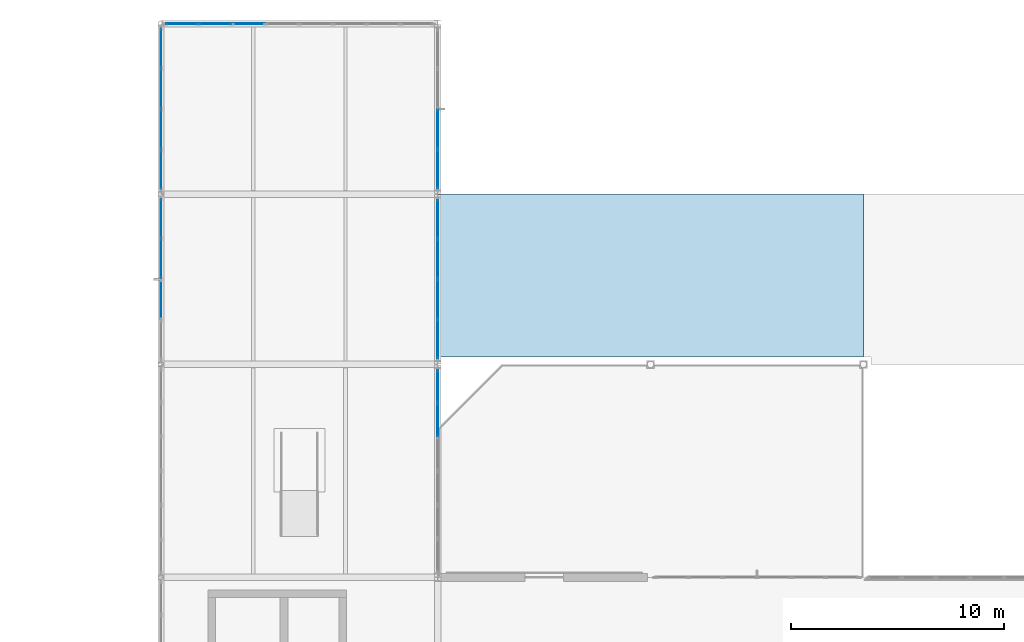
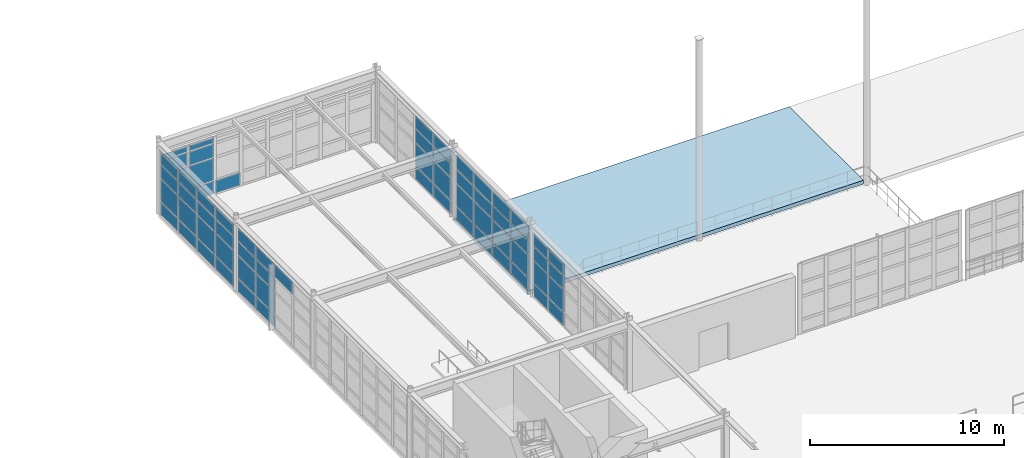
# One storey, part 92 of 139: 66 plates, 1 slab, 6 elements without a shape of their own.
"""IFC4 building model written with IfcOpenShell, lengths in metres."""

from ifc_helpers import new_model, si_unit, direction, frame, origin, origin_2d, place, context, subcontext, project, spatial, polyline, rectangle, outline, extrude, material, layer, layer_set, type_object, element, aggregate, save


model = new_model("IFC4")

# Units and contexts
model_context = context("Model", 3, precision=1e-05, world=origin(), true_north=direction((0.0, 1.0)))
body_context = subcontext(model_context, "Body", "Model", "MODEL_VIEW")
ifc_project = project(units=[si_unit("LENGTHUNIT", "METRE"), si_unit("AREAUNIT", "SQUARE_METRE"), si_unit("VOLUMEUNIT", "CUBIC_METRE"), si_unit("PLANEANGLEUNIT", "RADIAN"), si_unit("MASSUNIT", "GRAM", prefix="KILO"), si_unit("THERMODYNAMICTEMPERATUREUNIT", "KELVIN"), si_unit("POWERUNIT", "WATT")], contexts=[model_context])

# Site, building, storey
site_placement = place(None, origin())
site = spatial("IfcSite", under=ifc_project, at=site_placement, CompositionType="ELEMENT")
building_placement = place(site_placement, origin())
building = spatial("IfcBuilding", under=site, at=building_placement, Name="Korenveer Ferry Terminal", CompositionType="ELEMENT")
storey_placement = place(building_placement, frame((0.0, 0.0, 5.39990234375)))
storey = spatial("IfcBuildingStorey", under=building, at=storey_placement, Name="L01", CompositionType="ELEMENT", Elevation=5.39990234375)

# Curtain wall, plates
ifc_material_1 = material(Name="Unitised bronze-and-glass curtain wall", Category="glass")
ifc_layer_1 = layer(ifc_material_1, 0.219970703125)
ifc_layer_set_1 = layer_set([ifc_layer_1], Name="Unitised bronze-and-glass curtain wall")
curtain_wall_type_1 = type_object("IfcCurtainWallType", Name="ENV-CW-56", PredefinedType="USERDEFINED", material=ifc_layer_set_1)
curtain_wall_1_placement = place(storey_placement, frame((40.16650390625, 116.0, 0.0)))
curtain_wall_1 = element("IfcCurtainWall", 1, at=curtain_wall_1_placement, inside=storey, type_object=curtain_wall_type_1, Name="Lancet curtain wall CWX-L01-X40-53-Y116-116", ObjectType="UNITISED CURTAIN WALL", PredefinedType="USERDEFINED")
ifc_material_2 = material(Name="Acoustic laminated marine glazing", Category="glass")
ifc_layer_2 = layer(ifc_material_2, 0.035888671875)
ifc_layer_set_2 = layer_set([ifc_layer_2], Name="Acoustic laminated marine glazing")
plate_type = type_object("IfcPlateType", Name="ENV-CWP-GLZ36", PredefinedType="CURTAIN_PANEL", material=ifc_layer_set_2)
plate_1_placement = place(storey_placement, frame((40.97607421875, 116.0, 0.074951171875), z_axis=(0.0, 0.0, 1.0), x_axis=(1.0, 0.0, 0.0)))
plate_1 = element("IfcPlate", 2, at=plate_1_placement, type_object=plate_type, Name="CW-56 panel 1.1", PredefinedType="CURTAIN_PANEL", context=body_context, shape_type="SweptSolid", body=[
    extrude(rectangle(XDim=1.46923828125, YDim=0.035888671875, at=origin_2d()), origin(), (0.0, 0.0, 1.0), 0.78759765625),
])
plate_2_placement = place(storey_placement, frame((40.97607421875, 116.0, 0.9375), z_axis=(0.0, 0.0, 1.0), x_axis=(1.0, 0.0, 0.0)))
plate_2 = element("IfcPlate", 3, at=plate_2_placement, type_object=plate_type, Name="CW-56 panel 1.2", PredefinedType="CURTAIN_PANEL", context=body_context, shape_type="SweptSolid", body=[
    extrude(rectangle(XDim=1.46923828125, YDim=0.035888671875, at=origin_2d()), origin(), (0.0, 0.0, 1.0), 1.375),
])
plate_3_placement = place(storey_placement, frame((40.97607421875, 116.0, 2.3876953125), z_axis=(0.0, 0.0, 1.0), x_axis=(1.0, 0.0, 0.0)))
plate_3 = element("IfcPlate", 4, at=plate_3_placement, type_object=plate_type, Name="CW-56 panel 1.3", PredefinedType="CURTAIN_PANEL", context=body_context, shape_type="SweptSolid", body=[
    extrude(rectangle(XDim=1.46923828125, YDim=0.035888671875, at=origin_2d()), origin(), (0.0, 0.0, 1.0), 0.824951171875),
])
plate_4_placement = place(storey_placement, frame((40.97607421875, 116.0, 3.28759765625), z_axis=(0.0, 0.0, 1.0), x_axis=(1.0, 0.0, 0.0)))
plate_4 = element("IfcPlate", 5, at=plate_4_placement, type_object=plate_type, Name="CW-56 panel 1.4", PredefinedType="CURTAIN_PANEL", context=body_context, shape_type="SweptSolid", body=[
    extrude(rectangle(XDim=1.46923828125, YDim=0.035888671875, at=origin_2d()), origin(), (0.0, 0.0, 1.0), 0.3076171875),
])
plate_5_placement = place(storey_placement, frame((42.5390625, 116.0, 0.074951171875), z_axis=(0.0, 0.0, 1.0), x_axis=(1.0, 0.0, 0.0)))
plate_5 = element("IfcPlate", 6, at=plate_5_placement, type_object=plate_type, Name="CW-56 panel 2.1", PredefinedType="CURTAIN_PANEL", context=body_context, shape_type="SweptSolid", body=[
    extrude(rectangle(XDim=1.506591796875, YDim=0.035888671875, at=origin_2d()), origin(), (0.0, 0.0, 1.0), 0.78759765625),
])
plate_6_placement = place(storey_placement, frame((42.5390625, 116.0, 0.9375), z_axis=(0.0, 0.0, 1.0), x_axis=(1.0, 0.0, 0.0)))
plate_6 = element("IfcPlate", 7, at=plate_6_placement, type_object=plate_type, Name="CW-56 panel 2.2", PredefinedType="CURTAIN_PANEL", context=body_context, shape_type="SweptSolid", body=[
    extrude(rectangle(XDim=1.506591796875, YDim=0.035888671875, at=origin_2d()), origin(), (0.0, 0.0, 1.0), 1.375),
])
plate_7_placement = place(storey_placement, frame((42.5390625, 116.0, 2.3876953125), z_axis=(0.0, 0.0, 1.0), x_axis=(1.0, 0.0, 0.0)))
plate_7 = element("IfcPlate", 8, at=plate_7_placement, type_object=plate_type, Name="CW-56 panel 2.3", PredefinedType="CURTAIN_PANEL", context=body_context, shape_type="SweptSolid", body=[
    extrude(rectangle(XDim=1.506591796875, YDim=0.035888671875, at=origin_2d()), origin(), (0.0, 0.0, 1.0), 0.824951171875),
])
plate_8_placement = place(storey_placement, frame((42.5390625, 116.0, 3.28759765625), z_axis=(0.0, 0.0, 1.0), x_axis=(1.0, 0.0, 0.0)))
plate_8 = element("IfcPlate", 9, at=plate_8_placement, type_object=plate_type, Name="CW-56 panel 2.4", PredefinedType="CURTAIN_PANEL", context=body_context, shape_type="SweptSolid", body=[
    extrude(rectangle(XDim=1.506591796875, YDim=0.035888671875, at=origin_2d()), origin(), (0.0, 0.0, 1.0), 0.3076171875),
])
plate_9_placement = place(storey_placement, frame((44.12060546875, 116.0, 0.074951171875), z_axis=(0.0, 0.0, 1.0), x_axis=(1.0, 0.0, 0.0)))
plate_9 = element("IfcPlate", 10, at=plate_9_placement, type_object=plate_type, Name="CW-56 panel 3.1", PredefinedType="CURTAIN_PANEL", context=body_context, shape_type="SweptSolid", body=[
    extrude(rectangle(XDim=1.506591796875, YDim=0.035888671875, at=origin_2d()), origin(), (0.0, 0.0, 1.0), 0.78759765625),
])
aggregate(curtain_wall_1, [plate_1, plate_2, plate_3, plate_4, plate_5, plate_6, plate_7, plate_8, plate_9])

ifc_layer_3 = layer(ifc_material_1, 0.219970703125)
ifc_layer_set_3 = layer_set([ifc_layer_3], Name="Unitised bronze-and-glass curtain wall")
curtain_wall_type_2 = type_object("IfcCurtainWallType", Name="ENV-CW-66", PredefinedType="USERDEFINED", material=ifc_layer_set_3)
curtain_wall_2_placement = place(storey_placement, frame((40.0, 100.16650390625, 0.0)))
curtain_wall_2 = element("IfcCurtainWall", 11, at=curtain_wall_2_placement, inside=storey, type_object=curtain_wall_type_2, Name="Lancet curtain wall CWX-L01-X40-40-Y100-108", ObjectType="UNITISED CURTAIN WALL", PredefinedType="USERDEFINED")
plate_10_placement = place(storey_placement, frame((40.0, 103.04150390625, 3.28759765625), z_axis=(0.0, 0.0, 1.0), x_axis=(0.0, 1.0, 0.0)))
plate_10 = element("IfcPlate", 12, at=plate_10_placement, type_object=plate_type, Name="CW-66 panel 2.4", PredefinedType="CURTAIN_PANEL", context=body_context, shape_type="SweptSolid", body=[
    extrude(rectangle(XDim=1.841796875, YDim=0.035888671875, at=origin_2d()), origin(), (0.0, 0.0, 1.0), 0.767578125),
])
plate_11_placement = place(storey_placement, frame((40.0, 104.95849609375, 0.074951171875), z_axis=(0.0, 0.0, 1.0), x_axis=(0.0, 1.0, 0.0)))
plate_11 = element("IfcPlate", 13, at=plate_11_placement, type_object=plate_type, Name="CW-66 panel 3.1", PredefinedType="CURTAIN_PANEL", context=body_context, shape_type="SweptSolid", body=[
    extrude(rectangle(XDim=1.841796875, YDim=0.035888671875, at=origin_2d()), origin(), (0.0, 0.0, 1.0), 0.78759765625),
])
plate_12_placement = place(storey_placement, frame((40.0, 104.95849609375, 0.9375), z_axis=(0.0, 0.0, 1.0), x_axis=(0.0, 1.0, 0.0)))
plate_12 = element("IfcPlate", 14, at=plate_12_placement, type_object=plate_type, Name="CW-66 panel 3.2", PredefinedType="CURTAIN_PANEL", context=body_context, shape_type="SweptSolid", body=[
    extrude(rectangle(XDim=1.841796875, YDim=0.035888671875, at=origin_2d()), origin(), (0.0, 0.0, 1.0), 1.375),
])
plate_13_placement = place(storey_placement, frame((40.0, 104.95849609375, 2.3876953125), z_axis=(0.0, 0.0, 1.0), x_axis=(0.0, 1.0, 0.0)))
plate_13 = element("IfcPlate", 15, at=plate_13_placement, type_object=plate_type, Name="CW-66 panel 3.3", PredefinedType="CURTAIN_PANEL", context=body_context, shape_type="SweptSolid", body=[
    extrude(rectangle(XDim=1.841796875, YDim=0.035888671875, at=origin_2d()), origin(), (0.0, 0.0, 1.0), 0.824951171875),
])
plate_14_placement = place(storey_placement, frame((40.0, 104.95849609375, 3.28759765625), z_axis=(0.0, 0.0, 1.0), x_axis=(0.0, 1.0, 0.0)))
plate_14 = element("IfcPlate", 16, at=plate_14_placement, type_object=plate_type, Name="CW-66 panel 3.4", PredefinedType="CURTAIN_PANEL", context=body_context, shape_type="SweptSolid", body=[
    extrude(rectangle(XDim=1.841796875, YDim=0.035888671875, at=origin_2d()), origin(), (0.0, 0.0, 1.0), 0.767578125),
])
plate_15_placement = place(storey_placement, frame((40.0, 106.8564453125, 0.074951171875), z_axis=(0.0, 0.0, 1.0), x_axis=(0.0, 1.0, 0.0)))
plate_15 = element("IfcPlate", 17, at=plate_15_placement, type_object=plate_type, Name="CW-66 panel 4.1", PredefinedType="CURTAIN_PANEL", context=body_context, shape_type="SweptSolid", body=[
    extrude(rectangle(XDim=1.80419921875, YDim=0.035888671875, at=origin_2d()), origin(), (0.0, 0.0, 1.0), 0.78759765625),
])
plate_16_placement = place(storey_placement, frame((40.0, 106.8564453125, 0.9375), z_axis=(0.0, 0.0, 1.0), x_axis=(0.0, 1.0, 0.0)))
plate_16 = element("IfcPlate", 18, at=plate_16_placement, type_object=plate_type, Name="CW-66 panel 4.2", PredefinedType="CURTAIN_PANEL", context=body_context, shape_type="SweptSolid", body=[
    extrude(rectangle(XDim=1.80419921875, YDim=0.035888671875, at=origin_2d()), origin(), (0.0, 0.0, 1.0), 1.375),
])
plate_17_placement = place(storey_placement, frame((40.0, 106.8564453125, 2.3876953125), z_axis=(0.0, 0.0, 1.0), x_axis=(0.0, 1.0, 0.0)))
plate_17 = element("IfcPlate", 19, at=plate_17_placement, type_object=plate_type, Name="CW-66 panel 4.3", PredefinedType="CURTAIN_PANEL", context=body_context, shape_type="SweptSolid", body=[
    extrude(rectangle(XDim=1.80419921875, YDim=0.035888671875, at=origin_2d()), origin(), (0.0, 0.0, 1.0), 0.824951171875),
])
plate_18_placement = place(storey_placement, frame((40.0, 106.8564453125, 3.28759765625), z_axis=(0.0, 0.0, 1.0), x_axis=(0.0, 1.0, 0.0)))
plate_18 = element("IfcPlate", 20, at=plate_18_placement, type_object=plate_type, Name="CW-66 panel 4.4", PredefinedType="CURTAIN_PANEL", context=body_context, shape_type="SweptSolid", body=[
    extrude(rectangle(XDim=1.80419921875, YDim=0.035888671875, at=origin_2d()), origin(), (0.0, 0.0, 1.0), 0.767578125),
])
aggregate(curtain_wall_2, [plate_10, plate_11, plate_12, plate_13, plate_14, plate_15, plate_16, plate_17, plate_18])

ifc_layer_4 = layer(ifc_material_1, 0.219970703125)
ifc_layer_set_4 = layer_set([ifc_layer_4], Name="Unitised bronze-and-glass curtain wall")
curtain_wall_type_3 = type_object("IfcCurtainWallType", Name="ENV-CW-67", PredefinedType="USERDEFINED", material=ifc_layer_set_4)
curtain_wall_3_placement = place(storey_placement, frame((40.0, 108.16650390625, 0.0)))
curtain_wall_3 = element("IfcCurtainWall", 21, at=curtain_wall_3_placement, inside=storey, type_object=curtain_wall_type_3, Name="Lancet curtain wall CWX-L01-X40-40-Y108-116", ObjectType="UNITISED CURTAIN WALL", PredefinedType="USERDEFINED")
plate_19_placement = place(storey_placement, frame((40.0, 109.1435546875, 0.074951171875), z_axis=(0.0, 0.0, 1.0), x_axis=(0.0, 1.0, 0.0)))
plate_19 = element("IfcPlate", 22, at=plate_19_placement, type_object=plate_type, Name="CW-67 panel 1.1", PredefinedType="CURTAIN_PANEL", context=body_context, shape_type="SweptSolid", body=[
    extrude(rectangle(XDim=1.80419921875, YDim=0.035888671875, at=origin_2d()), origin(), (0.0, 0.0, 1.0), 0.78759765625),
])
plate_20_placement = place(storey_placement, frame((40.0, 109.1435546875, 0.9375), z_axis=(0.0, 0.0, 1.0), x_axis=(0.0, 1.0, 0.0)))
plate_20 = element("IfcPlate", 23, at=plate_20_placement, type_object=plate_type, Name="CW-67 panel 1.2", PredefinedType="CURTAIN_PANEL", context=body_context, shape_type="SweptSolid", body=[
    extrude(rectangle(XDim=1.80419921875, YDim=0.035888671875, at=origin_2d()), origin(), (0.0, 0.0, 1.0), 1.375),
])
plate_21_placement = place(storey_placement, frame((40.0, 109.1435546875, 2.3876953125), z_axis=(0.0, 0.0, 1.0), x_axis=(0.0, 1.0, 0.0)))
plate_21 = element("IfcPlate", 24, at=plate_21_placement, type_object=plate_type, Name="CW-67 panel 1.3", PredefinedType="CURTAIN_PANEL", context=body_context, shape_type="SweptSolid", body=[
    extrude(rectangle(XDim=1.80419921875, YDim=0.035888671875, at=origin_2d()), origin(), (0.0, 0.0, 1.0), 0.824951171875),
])
plate_22_placement = place(storey_placement, frame((40.0, 109.1435546875, 3.28759765625), z_axis=(0.0, 0.0, 1.0), x_axis=(0.0, 1.0, 0.0)))
plate_22 = element("IfcPlate", 25, at=plate_22_placement, type_object=plate_type, Name="CW-67 panel 1.4", PredefinedType="CURTAIN_PANEL", context=body_context, shape_type="SweptSolid", body=[
    extrude(rectangle(XDim=1.80419921875, YDim=0.035888671875, at=origin_2d()), origin(), (0.0, 0.0, 1.0), 0.66748046875),
])
plate_23_placement = place(storey_placement, frame((40.0, 111.04150390625, 0.074951171875), z_axis=(0.0, 0.0, 1.0), x_axis=(0.0, 1.0, 0.0)))
plate_23 = element("IfcPlate", 26, at=plate_23_placement, type_object=plate_type, Name="CW-67 panel 2.1", PredefinedType="CURTAIN_PANEL", context=body_context, shape_type="SweptSolid", body=[
    extrude(rectangle(XDim=1.841796875, YDim=0.035888671875, at=origin_2d()), origin(), (0.0, 0.0, 1.0), 0.78759765625),
])
plate_24_placement = place(storey_placement, frame((40.0, 111.04150390625, 0.9375), z_axis=(0.0, 0.0, 1.0), x_axis=(0.0, 1.0, 0.0)))
plate_24 = element("IfcPlate", 27, at=plate_24_placement, type_object=plate_type, Name="CW-67 panel 2.2", PredefinedType="CURTAIN_PANEL", context=body_context, shape_type="SweptSolid", body=[
    extrude(rectangle(XDim=1.841796875, YDim=0.035888671875, at=origin_2d()), origin(), (0.0, 0.0, 1.0), 1.375),
])
plate_25_placement = place(storey_placement, frame((40.0, 111.04150390625, 2.3876953125), z_axis=(0.0, 0.0, 1.0), x_axis=(0.0, 1.0, 0.0)))
plate_25 = element("IfcPlate", 28, at=plate_25_placement, type_object=plate_type, Name="CW-67 panel 2.3", PredefinedType="CURTAIN_PANEL", context=body_context, shape_type="SweptSolid", body=[
    extrude(rectangle(XDim=1.841796875, YDim=0.035888671875, at=origin_2d()), origin(), (0.0, 0.0, 1.0), 0.824951171875),
])
plate_26_placement = place(storey_placement, frame((40.0, 111.04150390625, 3.28759765625), z_axis=(0.0, 0.0, 1.0), x_axis=(0.0, 1.0, 0.0)))
plate_26 = element("IfcPlate", 29, at=plate_26_placement, type_object=plate_type, Name="CW-67 panel 2.4", PredefinedType="CURTAIN_PANEL", context=body_context, shape_type="SweptSolid", body=[
    extrude(rectangle(XDim=1.841796875, YDim=0.035888671875, at=origin_2d()), origin(), (0.0, 0.0, 1.0), 0.66748046875),
])
plate_27_placement = place(storey_placement, frame((40.0, 112.95849609375, 0.074951171875), z_axis=(0.0, 0.0, 1.0), x_axis=(0.0, 1.0, 0.0)))
plate_27 = element("IfcPlate", 30, at=plate_27_placement, type_object=plate_type, Name="CW-67 panel 3.1", PredefinedType="CURTAIN_PANEL", context=body_context, shape_type="SweptSolid", body=[
    extrude(rectangle(XDim=1.841796875, YDim=0.035888671875, at=origin_2d()), origin(), (0.0, 0.0, 1.0), 0.78759765625),
])
plate_28_placement = place(storey_placement, frame((40.0, 112.95849609375, 0.9375), z_axis=(0.0, 0.0, 1.0), x_axis=(0.0, 1.0, 0.0)))
plate_28 = element("IfcPlate", 31, at=plate_28_placement, type_object=plate_type, Name="CW-67 panel 3.2", PredefinedType="CURTAIN_PANEL", context=body_context, shape_type="SweptSolid", body=[
    extrude(rectangle(XDim=1.841796875, YDim=0.035888671875, at=origin_2d()), origin(), (0.0, 0.0, 1.0), 1.375),
])
plate_29_placement = place(storey_placement, frame((40.0, 112.95849609375, 2.3876953125), z_axis=(0.0, 0.0, 1.0), x_axis=(0.0, 1.0, 0.0)))
plate_29 = element("IfcPlate", 32, at=plate_29_placement, type_object=plate_type, Name="CW-67 panel 3.3", PredefinedType="CURTAIN_PANEL", context=body_context, shape_type="SweptSolid", body=[
    extrude(rectangle(XDim=1.841796875, YDim=0.035888671875, at=origin_2d()), origin(), (0.0, 0.0, 1.0), 0.824951171875),
])
plate_30_placement = place(storey_placement, frame((40.0, 112.95849609375, 3.28759765625), z_axis=(0.0, 0.0, 1.0), x_axis=(0.0, 1.0, 0.0)))
plate_30 = element("IfcPlate", 33, at=plate_30_placement, type_object=plate_type, Name="CW-67 panel 3.4", PredefinedType="CURTAIN_PANEL", context=body_context, shape_type="SweptSolid", body=[
    extrude(rectangle(XDim=1.841796875, YDim=0.035888671875, at=origin_2d()), origin(), (0.0, 0.0, 1.0), 0.66748046875),
])
plate_31_placement = place(storey_placement, frame((40.0, 114.8564453125, 0.074951171875), z_axis=(0.0, 0.0, 1.0), x_axis=(0.0, 1.0, 0.0)))
plate_31 = element("IfcPlate", 34, at=plate_31_placement, type_object=plate_type, Name="CW-67 panel 4.1", PredefinedType="CURTAIN_PANEL", context=body_context, shape_type="SweptSolid", body=[
    extrude(rectangle(XDim=1.80419921875, YDim=0.035888671875, at=origin_2d()), origin(), (0.0, 0.0, 1.0), 0.78759765625),
])
plate_32_placement = place(storey_placement, frame((40.0, 114.8564453125, 0.9375), z_axis=(0.0, 0.0, 1.0), x_axis=(0.0, 1.0, 0.0)))
plate_32 = element("IfcPlate", 35, at=plate_32_placement, type_object=plate_type, Name="CW-67 panel 4.2", PredefinedType="CURTAIN_PANEL", context=body_context, shape_type="SweptSolid", body=[
    extrude(rectangle(XDim=1.80419921875, YDim=0.035888671875, at=origin_2d()), origin(), (0.0, 0.0, 1.0), 1.375),
])
plate_33_placement = place(storey_placement, frame((40.0, 114.8564453125, 2.3876953125), z_axis=(0.0, 0.0, 1.0), x_axis=(0.0, 1.0, 0.0)))
plate_33 = element("IfcPlate", 36, at=plate_33_placement, type_object=plate_type, Name="CW-67 panel 4.3", PredefinedType="CURTAIN_PANEL", context=body_context, shape_type="SweptSolid", body=[
    extrude(rectangle(XDim=1.80419921875, YDim=0.035888671875, at=origin_2d()), origin(), (0.0, 0.0, 1.0), 0.824951171875),
])
plate_34_placement = place(storey_placement, frame((40.0, 114.8564453125, 3.28759765625), z_axis=(0.0, 0.0, 1.0), x_axis=(0.0, 1.0, 0.0)))
plate_34 = element("IfcPlate", 37, at=plate_34_placement, type_object=plate_type, Name="CW-67 panel 4.4", PredefinedType="CURTAIN_PANEL", context=body_context, shape_type="SweptSolid", body=[
    extrude(rectangle(XDim=1.80419921875, YDim=0.035888671875, at=origin_2d()), origin(), (0.0, 0.0, 1.0), 0.66748046875),
])
aggregate(curtain_wall_3, [plate_19, plate_20, plate_21, plate_22, plate_23, plate_24, plate_25, plate_26, plate_27, plate_28, plate_29, plate_30, plate_31, plate_32, plate_33, plate_34])

ifc_layer_5 = layer(ifc_material_1, 0.219970703125)
ifc_layer_set_5 = layer_set([ifc_layer_5], Name="Unitised bronze-and-glass curtain wall")
curtain_wall_type_4 = type_object("IfcCurtainWallType", Name="ENV-CW-70", PredefinedType="USERDEFINED", material=ifc_layer_set_5)
curtain_wall_4_placement = place(storey_placement, frame((53.0, 99.7900390625, 0.0)))
curtain_wall_4 = element("IfcCurtainWall", 38, at=curtain_wall_4_placement, inside=storey, type_object=curtain_wall_type_4, Name="Lancet curtain wall CWX-L01-X53-53-Y90-100", ObjectType="UNITISED CURTAIN WALL", PredefinedType="USERDEFINED")
plate_35_placement = place(storey_placement, frame((53.0, 98.972900390625, 0.074951171875), z_axis=(0.0, 0.0, 1.0), x_axis=(0.0, -1.0, 0.0)))
plate_35 = element("IfcPlate", 39, at=plate_35_placement, type_object=plate_type, Name="CW-70 panel 1.1", PredefinedType="CURTAIN_PANEL", context=body_context, shape_type="SweptSolid", body=[
    extrude(rectangle(XDim=1.484130859375, YDim=0.035888671875, at=origin_2d()), origin(), (0.0, 0.0, 1.0), 0.78759765625),
])
plate_36_placement = place(storey_placement, frame((53.0, 98.972900390625, 0.9375), z_axis=(0.0, 0.0, 1.0), x_axis=(0.0, -1.0, 0.0)))
plate_36 = element("IfcPlate", 40, at=plate_36_placement, type_object=plate_type, Name="CW-70 panel 1.2", PredefinedType="CURTAIN_PANEL", context=body_context, shape_type="SweptSolid", body=[
    extrude(rectangle(XDim=1.484130859375, YDim=0.035888671875, at=origin_2d()), origin(), (0.0, 0.0, 1.0), 1.375),
])
plate_37_placement = place(storey_placement, frame((53.0, 98.972900390625, 2.3876953125), z_axis=(0.0, 0.0, 1.0), x_axis=(0.0, -1.0, 0.0)))
plate_37 = element("IfcPlate", 41, at=plate_37_placement, type_object=plate_type, Name="CW-70 panel 1.3", PredefinedType="CURTAIN_PANEL", context=body_context, shape_type="SweptSolid", body=[
    extrude(rectangle(XDim=1.484130859375, YDim=0.035888671875, at=origin_2d()), origin(), (0.0, 0.0, 1.0), 0.824951171875),
])
plate_38_placement = place(storey_placement, frame((53.0, 98.972900390625, 3.28759765625), z_axis=(0.0, 0.0, 1.0), x_axis=(0.0, -1.0, 0.0)))
plate_38 = element("IfcPlate", 42, at=plate_38_placement, type_object=plate_type, Name="CW-70 panel 1.4", PredefinedType="CURTAIN_PANEL", context=body_context, shape_type="SweptSolid", body=[
    extrude(rectangle(XDim=1.484130859375, YDim=0.035888671875, at=origin_2d()), origin(), (0.0, 0.0, 1.0), 0.66748046875),
])
plate_39_placement = place(storey_placement, frame((53.0, 97.39501953125, 0.074951171875), z_axis=(0.0, 0.0, 1.0), x_axis=(0.0, -1.0, 0.0)))
plate_39 = element("IfcPlate", 43, at=plate_39_placement, type_object=plate_type, Name="CW-70 panel 2.1", PredefinedType="CURTAIN_PANEL", context=body_context, shape_type="SweptSolid", body=[
    extrude(rectangle(XDim=1.521728515625, YDim=0.035888671875, at=origin_2d()), origin(), (0.0, 0.0, 1.0), 0.78759765625),
])
plate_40_placement = place(storey_placement, frame((53.0, 97.39501953125, 0.9375), z_axis=(0.0, 0.0, 1.0), x_axis=(0.0, -1.0, 0.0)))
plate_40 = element("IfcPlate", 44, at=plate_40_placement, type_object=plate_type, Name="CW-70 panel 2.2", PredefinedType="CURTAIN_PANEL", context=body_context, shape_type="SweptSolid", body=[
    extrude(rectangle(XDim=1.521728515625, YDim=0.035888671875, at=origin_2d()), origin(), (0.0, 0.0, 1.0), 1.375),
])
plate_41_placement = place(storey_placement, frame((53.0, 97.39501953125, 2.3876953125), z_axis=(0.0, 0.0, 1.0), x_axis=(0.0, -1.0, 0.0)))
plate_41 = element("IfcPlate", 45, at=plate_41_placement, type_object=plate_type, Name="CW-70 panel 2.3", PredefinedType="CURTAIN_PANEL", context=body_context, shape_type="SweptSolid", body=[
    extrude(rectangle(XDim=1.521728515625, YDim=0.035888671875, at=origin_2d()), origin(), (0.0, 0.0, 1.0), 0.824951171875),
])
plate_42_placement = place(storey_placement, frame((53.0, 97.39501953125, 3.28759765625), z_axis=(0.0, 0.0, 1.0), x_axis=(0.0, -1.0, 0.0)))
plate_42 = element("IfcPlate", 46, at=plate_42_placement, type_object=plate_type, Name="CW-70 panel 2.4", PredefinedType="CURTAIN_PANEL", context=body_context, shape_type="SweptSolid", body=[
    extrude(rectangle(XDim=1.521728515625, YDim=0.035888671875, at=origin_2d()), origin(), (0.0, 0.0, 1.0), 0.66748046875),
])
aggregate(curtain_wall_4, [plate_35, plate_36, plate_37, plate_38, plate_39, plate_40, plate_41, plate_42])

ifc_layer_6 = layer(ifc_material_1, 0.219970703125)
ifc_layer_set_6 = layer_set([ifc_layer_6], Name="Unitised bronze-and-glass curtain wall")
curtain_wall_type_5 = type_object("IfcCurtainWallType", Name="ENV-CW-71", PredefinedType="USERDEFINED", material=ifc_layer_set_6)
curtain_wall_5_placement = place(storey_placement, frame((53.0, 107.7900390625, 0.0)))
curtain_wall_5 = element("IfcCurtainWall", 47, at=curtain_wall_5_placement, inside=storey, type_object=curtain_wall_type_5, Name="Lancet curtain wall CWX-L01-X53-53-Y100-108", ObjectType="UNITISED CURTAIN WALL", PredefinedType="USERDEFINED")
plate_43_placement = place(storey_placement, frame((53.0, 106.82373046875, 0.074951171875), z_axis=(0.0, 0.0, 1.0), x_axis=(0.0, -1.0, 0.0)))
plate_43 = element("IfcPlate", 48, at=plate_43_placement, type_object=plate_type, Name="CW-71 panel 1.1", PredefinedType="CURTAIN_PANEL", context=body_context, shape_type="SweptSolid", body=[
    extrude(rectangle(XDim=1.782470703125, YDim=0.035888671875, at=origin_2d()), origin(), (0.0, 0.0, 1.0), 0.78759765625),
])
plate_44_placement = place(storey_placement, frame((53.0, 106.82373046875, 0.9375), z_axis=(0.0, 0.0, 1.0), x_axis=(0.0, -1.0, 0.0)))
plate_44 = element("IfcPlate", 49, at=plate_44_placement, type_object=plate_type, Name="CW-71 panel 1.2", PredefinedType="CURTAIN_PANEL", context=body_context, shape_type="SweptSolid", body=[
    extrude(rectangle(XDim=1.782470703125, YDim=0.035888671875, at=origin_2d()), origin(), (0.0, 0.0, 1.0), 1.375),
])
plate_45_placement = place(storey_placement, frame((53.0, 106.82373046875, 2.3876953125), z_axis=(0.0, 0.0, 1.0), x_axis=(0.0, -1.0, 0.0)))
plate_45 = element("IfcPlate", 50, at=plate_45_placement, type_object=plate_type, Name="CW-71 panel 1.3", PredefinedType="CURTAIN_PANEL", context=body_context, shape_type="SweptSolid", body=[
    extrude(rectangle(XDim=1.782470703125, YDim=0.035888671875, at=origin_2d()), origin(), (0.0, 0.0, 1.0), 0.824951171875),
])
plate_46_placement = place(storey_placement, frame((53.0, 106.82373046875, 3.28759765625), z_axis=(0.0, 0.0, 1.0), x_axis=(0.0, -1.0, 0.0)))
plate_46 = element("IfcPlate", 51, at=plate_46_placement, type_object=plate_type, Name="CW-71 panel 1.4", PredefinedType="CURTAIN_PANEL", context=body_context, shape_type="SweptSolid", body=[
    extrude(rectangle(XDim=1.782470703125, YDim=0.035888671875, at=origin_2d()), origin(), (0.0, 0.0, 1.0), 0.867431640625),
])
plate_47_placement = place(storey_placement, frame((53.0, 104.947509765625, 0.074951171875), z_axis=(0.0, 0.0, 1.0), x_axis=(0.0, -1.0, 0.0)))
plate_47 = element("IfcPlate", 52, at=plate_47_placement, type_object=plate_type, Name="CW-71 panel 2.1", PredefinedType="CURTAIN_PANEL", context=body_context, shape_type="SweptSolid", body=[
    extrude(rectangle(XDim=1.820068359375, YDim=0.035888671875, at=origin_2d()), origin(), (0.0, 0.0, 1.0), 0.78759765625),
])
plate_48_placement = place(storey_placement, frame((53.0, 104.947509765625, 0.9375), z_axis=(0.0, 0.0, 1.0), x_axis=(0.0, -1.0, 0.0)))
plate_48 = element("IfcPlate", 53, at=plate_48_placement, type_object=plate_type, Name="CW-71 panel 2.2", PredefinedType="CURTAIN_PANEL", context=body_context, shape_type="SweptSolid", body=[
    extrude(rectangle(XDim=1.820068359375, YDim=0.035888671875, at=origin_2d()), origin(), (0.0, 0.0, 1.0), 1.375),
])
plate_49_placement = place(storey_placement, frame((53.0, 104.947509765625, 2.3876953125), z_axis=(0.0, 0.0, 1.0), x_axis=(0.0, -1.0, 0.0)))
plate_49 = element("IfcPlate", 54, at=plate_49_placement, type_object=plate_type, Name="CW-71 panel 2.3", PredefinedType="CURTAIN_PANEL", context=body_context, shape_type="SweptSolid", body=[
    extrude(rectangle(XDim=1.820068359375, YDim=0.035888671875, at=origin_2d()), origin(), (0.0, 0.0, 1.0), 0.824951171875),
])
plate_50_placement = place(storey_placement, frame((53.0, 104.947509765625, 3.28759765625), z_axis=(0.0, 0.0, 1.0), x_axis=(0.0, -1.0, 0.0)))
plate_50 = element("IfcPlate", 55, at=plate_50_placement, type_object=plate_type, Name="CW-71 panel 2.4", PredefinedType="CURTAIN_PANEL", context=body_context, shape_type="SweptSolid", body=[
    extrude(rectangle(XDim=1.820068359375, YDim=0.035888671875, at=origin_2d()), origin(), (0.0, 0.0, 1.0), 0.867431640625),
])
plate_51_placement = place(storey_placement, frame((53.0, 103.052490234375, 0.074951171875), z_axis=(0.0, 0.0, 1.0), x_axis=(0.0, -1.0, 0.0)))
plate_51 = element("IfcPlate", 56, at=plate_51_placement, type_object=plate_type, Name="CW-71 panel 3.1", PredefinedType="CURTAIN_PANEL", context=body_context, shape_type="SweptSolid", body=[
    extrude(rectangle(XDim=1.820068359375, YDim=0.035888671875, at=origin_2d()), origin(), (0.0, 0.0, 1.0), 0.78759765625),
])
plate_52_placement = place(storey_placement, frame((53.0, 103.052490234375, 0.9375), z_axis=(0.0, 0.0, 1.0), x_axis=(0.0, -1.0, 0.0)))
plate_52 = element("IfcPlate", 57, at=plate_52_placement, type_object=plate_type, Name="CW-71 panel 3.2", PredefinedType="CURTAIN_PANEL", context=body_context, shape_type="SweptSolid", body=[
    extrude(rectangle(XDim=1.820068359375, YDim=0.035888671875, at=origin_2d()), origin(), (0.0, 0.0, 1.0), 1.375),
])
plate_53_placement = place(storey_placement, frame((53.0, 103.052490234375, 2.3876953125), z_axis=(0.0, 0.0, 1.0), x_axis=(0.0, -1.0, 0.0)))
plate_53 = element("IfcPlate", 58, at=plate_53_placement, type_object=plate_type, Name="CW-71 panel 3.3", PredefinedType="CURTAIN_PANEL", context=body_context, shape_type="SweptSolid", body=[
    extrude(rectangle(XDim=1.820068359375, YDim=0.035888671875, at=origin_2d()), origin(), (0.0, 0.0, 1.0), 0.824951171875),
])
plate_54_placement = place(storey_placement, frame((53.0, 103.052490234375, 3.28759765625), z_axis=(0.0, 0.0, 1.0), x_axis=(0.0, -1.0, 0.0)))
plate_54 = element("IfcPlate", 59, at=plate_54_placement, type_object=plate_type, Name="CW-71 panel 3.4", PredefinedType="CURTAIN_PANEL", context=body_context, shape_type="SweptSolid", body=[
    extrude(rectangle(XDim=1.820068359375, YDim=0.035888671875, at=origin_2d()), origin(), (0.0, 0.0, 1.0), 0.867431640625),
])
plate_55_placement = place(storey_placement, frame((53.0, 101.17626953125, 0.074951171875), z_axis=(0.0, 0.0, 1.0), x_axis=(0.0, -1.0, 0.0)))
plate_55 = element("IfcPlate", 60, at=plate_55_placement, type_object=plate_type, Name="CW-71 panel 4.1", PredefinedType="CURTAIN_PANEL", context=body_context, shape_type="SweptSolid", body=[
    extrude(rectangle(XDim=1.782470703125, YDim=0.035888671875, at=origin_2d()), origin(), (0.0, 0.0, 1.0), 0.78759765625),
])
plate_56_placement = place(storey_placement, frame((53.0, 101.17626953125, 0.9375), z_axis=(0.0, 0.0, 1.0), x_axis=(0.0, -1.0, 0.0)))
plate_56 = element("IfcPlate", 61, at=plate_56_placement, type_object=plate_type, Name="CW-71 panel 4.2", PredefinedType="CURTAIN_PANEL", context=body_context, shape_type="SweptSolid", body=[
    extrude(rectangle(XDim=1.782470703125, YDim=0.035888671875, at=origin_2d()), origin(), (0.0, 0.0, 1.0), 1.375),
])
plate_57_placement = place(storey_placement, frame((53.0, 101.17626953125, 2.3876953125), z_axis=(0.0, 0.0, 1.0), x_axis=(0.0, -1.0, 0.0)))
plate_57 = element("IfcPlate", 62, at=plate_57_placement, type_object=plate_type, Name="CW-71 panel 4.3", PredefinedType="CURTAIN_PANEL", context=body_context, shape_type="SweptSolid", body=[
    extrude(rectangle(XDim=1.782470703125, YDim=0.035888671875, at=origin_2d()), origin(), (0.0, 0.0, 1.0), 0.824951171875),
])
plate_58_placement = place(storey_placement, frame((53.0, 101.17626953125, 3.28759765625), z_axis=(0.0, 0.0, 1.0), x_axis=(0.0, -1.0, 0.0)))
plate_58 = element("IfcPlate", 63, at=plate_58_placement, type_object=plate_type, Name="CW-71 panel 4.4", PredefinedType="CURTAIN_PANEL", context=body_context, shape_type="SweptSolid", body=[
    extrude(rectangle(XDim=1.782470703125, YDim=0.035888671875, at=origin_2d()), origin(), (0.0, 0.0, 1.0), 0.867431640625),
])
aggregate(curtain_wall_5, [plate_43, plate_44, plate_45, plate_46, plate_47, plate_48, plate_49, plate_50, plate_51, plate_52, plate_53, plate_54, plate_55, plate_56, plate_57, plate_58])

ifc_layer_7 = layer(ifc_material_1, 0.219970703125)
ifc_layer_set_7 = layer_set([ifc_layer_7], Name="Unitised bronze-and-glass curtain wall")
curtain_wall_type_6 = type_object("IfcCurtainWallType", Name="ENV-CW-72", PredefinedType="USERDEFINED", material=ifc_layer_set_7)
curtain_wall_6_placement = place(storey_placement, frame((53.0, 115.7900390625, 0.0)))
curtain_wall_6 = element("IfcCurtainWall", 64, at=curtain_wall_6_placement, inside=storey, type_object=curtain_wall_type_6, Name="Lancet curtain wall CWX-L01-X53-53-Y108-116", ObjectType="UNITISED CURTAIN WALL", PredefinedType="USERDEFINED")
plate_59_placement = place(storey_placement, frame((53.0, 111.052490234375, 0.074951171875), z_axis=(0.0, 0.0, 1.0), x_axis=(0.0, -1.0, 0.0)))
plate_59 = element("IfcPlate", 65, at=plate_59_placement, type_object=plate_type, Name="CW-72 panel 3.1", PredefinedType="CURTAIN_PANEL", context=body_context, shape_type="SweptSolid", body=[
    extrude(rectangle(XDim=1.820068359375, YDim=0.035888671875, at=origin_2d()), origin(), (0.0, 0.0, 1.0), 0.78759765625),
])
plate_60_placement = place(storey_placement, frame((53.0, 111.052490234375, 0.9375), z_axis=(0.0, 0.0, 1.0), x_axis=(0.0, -1.0, 0.0)))
plate_60 = element("IfcPlate", 66, at=plate_60_placement, type_object=plate_type, Name="CW-72 panel 3.2", PredefinedType="CURTAIN_PANEL", context=body_context, shape_type="SweptSolid", body=[
    extrude(rectangle(XDim=1.820068359375, YDim=0.035888671875, at=origin_2d()), origin(), (0.0, 0.0, 1.0), 1.375),
])
plate_61_placement = place(storey_placement, frame((53.0, 111.052490234375, 2.3876953125), z_axis=(0.0, 0.0, 1.0), x_axis=(0.0, -1.0, 0.0)))
plate_61 = element("IfcPlate", 67, at=plate_61_placement, type_object=plate_type, Name="CW-72 panel 3.3", PredefinedType="CURTAIN_PANEL", context=body_context, shape_type="SweptSolid", body=[
    extrude(rectangle(XDim=1.820068359375, YDim=0.035888671875, at=origin_2d()), origin(), (0.0, 0.0, 1.0), 0.824951171875),
])
plate_62_placement = place(storey_placement, frame((53.0, 111.052490234375, 3.28759765625), z_axis=(0.0, 0.0, 1.0), x_axis=(0.0, -1.0, 0.0)))
plate_62 = element("IfcPlate", 68, at=plate_62_placement, type_object=plate_type, Name="CW-72 panel 3.4", PredefinedType="CURTAIN_PANEL", context=body_context, shape_type="SweptSolid", body=[
    extrude(rectangle(XDim=1.820068359375, YDim=0.035888671875, at=origin_2d()), origin(), (0.0, 0.0, 1.0), 0.767578125),
])
plate_63_placement = place(storey_placement, frame((53.0, 109.17626953125, 0.074951171875), z_axis=(0.0, 0.0, 1.0), x_axis=(0.0, -1.0, 0.0)))
plate_63 = element("IfcPlate", 69, at=plate_63_placement, type_object=plate_type, Name="CW-72 panel 4.1", PredefinedType="CURTAIN_PANEL", context=body_context, shape_type="SweptSolid", body=[
    extrude(rectangle(XDim=1.782470703125, YDim=0.035888671875, at=origin_2d()), origin(), (0.0, 0.0, 1.0), 0.78759765625),
])
plate_64_placement = place(storey_placement, frame((53.0, 109.17626953125, 0.9375), z_axis=(0.0, 0.0, 1.0), x_axis=(0.0, -1.0, 0.0)))
plate_64 = element("IfcPlate", 70, at=plate_64_placement, type_object=plate_type, Name="CW-72 panel 4.2", PredefinedType="CURTAIN_PANEL", context=body_context, shape_type="SweptSolid", body=[
    extrude(rectangle(XDim=1.782470703125, YDim=0.035888671875, at=origin_2d()), origin(), (0.0, 0.0, 1.0), 1.375),
])
plate_65_placement = place(storey_placement, frame((53.0, 109.17626953125, 2.3876953125), z_axis=(0.0, 0.0, 1.0), x_axis=(0.0, -1.0, 0.0)))
plate_65 = element("IfcPlate", 71, at=plate_65_placement, type_object=plate_type, Name="CW-72 panel 4.3", PredefinedType="CURTAIN_PANEL", context=body_context, shape_type="SweptSolid", body=[
    extrude(rectangle(XDim=1.782470703125, YDim=0.035888671875, at=origin_2d()), origin(), (0.0, 0.0, 1.0), 0.824951171875),
])
plate_66_placement = place(storey_placement, frame((53.0, 109.17626953125, 3.28759765625), z_axis=(0.0, 0.0, 1.0), x_axis=(0.0, -1.0, 0.0)))
plate_66 = element("IfcPlate", 72, at=plate_66_placement, type_object=plate_type, Name="CW-72 panel 4.4", PredefinedType="CURTAIN_PANEL", context=body_context, shape_type="SweptSolid", body=[
    extrude(rectangle(XDim=1.782470703125, YDim=0.035888671875, at=origin_2d()), origin(), (0.0, 0.0, 1.0), 0.767578125),
])
aggregate(curtain_wall_6, [plate_59, plate_60, plate_61, plate_62, plate_63, plate_64, plate_65, plate_66])

# Slab
ifc_material_3 = material(Name="Concrete C35/45", Category="concrete")
ifc_layer_8 = layer(ifc_material_3, 0.239990234375)
ifc_layer_set_8 = layer_set([ifc_layer_8], Name="Concrete C35/45")
slab_type = type_object("IfcSlabType", Name="STR-SL-ROOF240", PredefinedType="ROOF", material=ifc_layer_set_8)
slab_placement = place(storey_placement, frame((0.0, 0.0, -0.239990234375)))
element("IfcSlab", 73, at=slab_placement, inside=storey, type_object=slab_type, Name="Quayside boarding canopy west", PredefinedType="ROOF", context=body_context, shape_type="SweptSolid", body=[
    extrude(outline(polyline([(53.0, 100.35009765625), (73.0, 100.35009765625), (73.0, 108.0), (53.0, 108.0), (53.0, 100.35009765625)])), origin(), (0.0, 0.0, 1.0), 0.239990234375),
])

save(model, "model.ifc")
